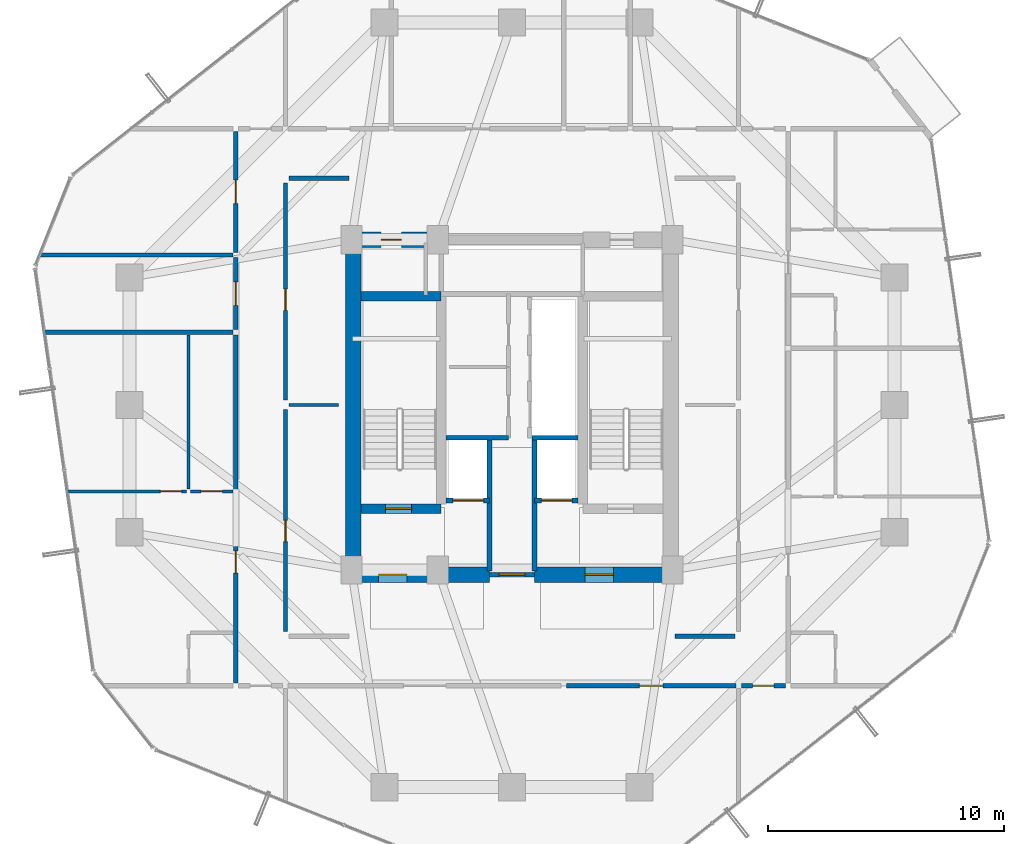
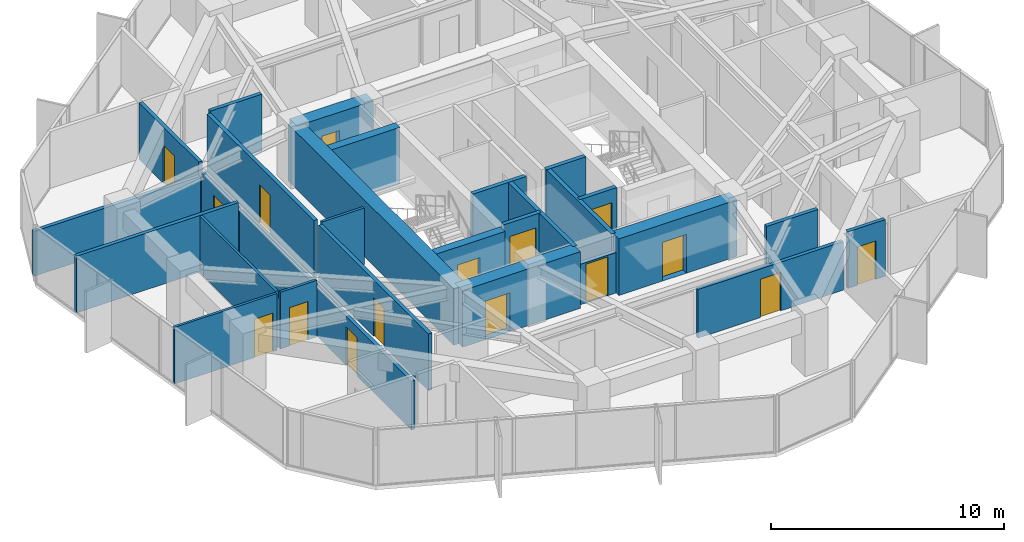
# One storey, part 30 of 34: 28 walls, 16 doors, 16 openings.
"""IFC4 building model written with IfcOpenShell, lengths in metres."""

from ifc_helpers import new_model, si_unit, direction, frame, frame_2d, origin, place, context, subcontext, project, spatial, rectangle, extrude, source, transform, mapped, material, layer, layer_set, type_object, element, fill, save


model = new_model("IFC4")

# Units and contexts
model_context = context("Model", 3, precision=1e-05, world=origin(), true_north=direction((0.0, 1.0)))
body_context = subcontext(model_context, "Body", "Model", "MODEL_VIEW")
ifc_project = project(units=[si_unit("LENGTHUNIT", "METRE"), si_unit("AREAUNIT", "SQUARE_METRE"), si_unit("VOLUMEUNIT", "CUBIC_METRE"), si_unit("PLANEANGLEUNIT", "RADIAN"), si_unit("MASSUNIT", "GRAM", prefix="KILO")], contexts=[model_context])

# Site, building, storey
site_placement = place(None, origin())
site = spatial("IfcSite", under=ifc_project, at=site_placement, CompositionType="ELEMENT")
building_placement = place(site_placement, origin())
building = spatial("IfcBuilding", under=site, at=building_placement, Name="Veraguas Prism Commons", CompositionType="ELEMENT")
storey_placement = place(building_placement, frame((0.0, 0.0, 155.5)))
storey = spatial("IfcBuildingStorey", under=building, at=storey_placement, Name="L44", CompositionType="ELEMENT", Elevation=155.5)

# Wall, opening, door
ifc_material_1 = material(Name="Concrete C50/60", Category="concrete")
ifc_layer_1 = layer(ifc_material_1, 0.39990234375, Name="Clinic and Mid Core Shear Wall RC 400", Category="concrete")
ifc_layer_set_1 = layer_set([ifc_layer_1], Name="Concrete C50/60")
wall_type_1 = type_object("IfcWallType", Name="Clinic and Mid Core Shear Wall RC 400", PredefinedType="SHEAR", material=ifc_layer_set_1)
wall_1_placement = place(storey_placement, frame((17.60009765625, 19.60009765625, 0.0), z_axis=(0.0, 0.0, 1.0), x_axis=(1.0, 0.0, 0.0)))
wall_1 = element("IfcWall", 1, at=wall_1_placement, inside=storey, type_object=wall_type_1, Name="Stair ST-01 South Shear Wall L44", PredefinedType="SHEAR", context=body_context, shape_type="SweptSolid", body=[
    extrude(rectangle(XDim=3.39990234375, YDim=0.39990234375, at=frame_2d((1.699951171875, 0.0))), origin(), (0.0, 0.0, 1.0), 2.969970703125),
])
opening_1_placement = place(wall_1_placement, frame((1.050048828125, 0.0, 0.0)))
opening_1 = element("IfcOpeningElement", 2, at=opening_1_placement, cuts=wall_1, Name="Opening DR-05", PredefinedType="OPENING", context=body_context, shape_type="SweptSolid", body=[
    extrude(rectangle(XDim=1.10009765625, YDim=2.030029296875, at=frame_2d((0.550048828125, 1.01513671875))), frame((0.0, 0.2099609375, 0.0), z_axis=(0.0, -1.0, 0.0), x_axis=(1.0, 0.0, 0.0)), (0.0, 0.0, 1.0), 0.419921875),
])
ifc_material_2 = material(Name="Steel fire-rated door assembly", Category="steel")
door_type_1 = type_object("IfcDoorType", Name="Protected Stair and Refuge Fire Door 1100x2030", OperationType="NOTDEFINED", PredefinedType="DOOR", material=ifc_material_2)
shared_shape_1 = source(origin(), body_context, "Body", "SweptSolid", [
    extrude(rectangle(XDim=1.10009765625, YDim=2.030029296875, at=frame_2d((0.550048828125, 1.01513671875))), frame((0.0, 0.02490234375, 0.0), z_axis=(0.0, -1.0, 0.0), x_axis=(1.0, 0.0, 0.0)), (0.0, 0.0, 1.0), 0.050048828125),
])
door_1_placement = place(opening_1_placement, origin())
door_1 = element("IfcDoor", 3, at=door_1_placement, inside=storey, type_object=door_type_1, Name="Stair ST-01 Enclosure Door L44", OperationType="SINGLE_SWING_LEFT", OverallHeight=2.030029296875, OverallWidth=1.10009765625, PredefinedType="DOOR", context=body_context, shape_type="MappedRepresentation", body=[
    mapped(shared_shape_1, transform((0.0, 0.0, 0.0), scale=1.0)),
])
fill(opening_1, door_1)

# Walls
wall_2_placement = place(storey_placement, frame((17.60009765625, 28.60009765625, 0.0), z_axis=(0.0, 0.0, 1.0), x_axis=(1.0, 0.0, 0.0)))
element("IfcWall", 4, at=wall_2_placement, inside=storey, type_object=wall_type_1, Name="Stair ST-01 North Shear Wall L44", PredefinedType="SHEAR", context=body_context, shape_type="SweptSolid", body=[
    extrude(rectangle(XDim=3.39990234375, YDim=0.39990234375, at=frame_2d((1.699951171875, 0.0))), origin(), (0.0, 0.0, 1.0), 2.969970703125),
])
ifc_material_3 = material(Name="Concrete C55/67", Category="concrete")
ifc_layer_2 = layer(ifc_material_3, 0.64990234375, Name="Core Outer Shear Wall Mid RC 650", Category="concrete")
ifc_layer_set_2 = layer_set([ifc_layer_2], Name="Concrete C55/67")
wall_type_2 = type_object("IfcWallType", Name="Core Outer Shear Wall Mid RC 650", PredefinedType="SHEAR", material=ifc_layer_set_2)
wall_3_placement = place(storey_placement, frame((17.27490234375, 16.800048828125, 0.0), z_axis=(0.0, 0.0, 1.0), x_axis=(0.0, 1.0, 0.0)))
element("IfcWall", 5, at=wall_3_placement, inside=storey, type_object=wall_type_2, Name="Central Core West Shear Wall L44", PredefinedType="SHEAR", context=body_context, shape_type="SweptSolid", body=[
    extrude(rectangle(XDim=14.199951171875, YDim=0.64990234375, at=frame_2d((7.10009765625, 0.0))), origin(), (0.0, 0.0, 1.0), 2.969970703125),
])

# Wall, opening, door
wall_4_placement = place(storey_placement, frame((17.199951171875, 16.800048828125, 0.0), z_axis=(0.0, 0.0, 1.0), x_axis=(1.0, 0.0, 0.0)))
wall_4 = element("IfcWall", 6, at=wall_4_placement, inside=storey, type_object=wall_type_2, Name="Central Core South-West Shear Wall L44", PredefinedType="SHEAR", context=body_context, shape_type="SweptSolid", body=[
    extrude(rectangle(XDim=5.85009765625, YDim=0.64990234375, at=frame_2d((2.925048828125, 0.0))), origin(), (0.0, 0.0, 1.0), 2.969970703125),
])
opening_2_placement = place(wall_4_placement, frame((1.14990234375, 0.0, 0.0)))
opening_2 = element("IfcOpeningElement", 7, at=opening_2_placement, cuts=wall_4, Name="Opening DR-06", PredefinedType="OPENING", context=body_context, shape_type="SweptSolid", body=[
    extrude(rectangle(XDim=1.199951171875, YDim=2.030029296875, at=frame_2d((0.60009765625, 1.01513671875))), frame((0.0, 0.3349609375, 0.0), z_axis=(0.0, -1.0, 0.0), x_axis=(1.0, 0.0, 0.0)), (0.0, 0.0, 1.0), 0.669921875),
])
door_type_2 = type_object("IfcDoorType", Name="Firefighting Lobby Smoke Door 1200x2030", OperationType="NOTDEFINED", PredefinedType="DOOR", material=ifc_material_2)
shared_shape_2 = source(origin(), body_context, "Body", "SweptSolid", [
    extrude(rectangle(XDim=1.199951171875, YDim=2.030029296875, at=frame_2d((0.60009765625, 1.01513671875))), frame((0.0, 0.02490234375, 0.0), z_axis=(0.0, -1.0, 0.0), x_axis=(1.0, 0.0, 0.0)), (0.0, 0.0, 1.0), 0.050048828125),
])
door_2_placement = place(opening_2_placement, origin())
door_2 = element("IfcDoor", 8, at=door_2_placement, inside=storey, type_object=door_type_2, Name="West FF Lobby Door L44", OperationType="SINGLE_SWING_RIGHT", OverallHeight=2.030029296875, OverallWidth=1.199951171875, PredefinedType="DOOR", context=body_context, shape_type="MappedRepresentation", body=[
    mapped(shared_shape_2, transform((0.0, 0.0, 0.0), scale=1.0)),
])
fill(opening_2, door_2)

wall_5_placement = place(storey_placement, frame((24.949951171875, 16.800048828125, 0.0), z_axis=(0.0, 0.0, 1.0), x_axis=(1.0, 0.0, 0.0)))
wall_5 = element("IfcWall", 9, at=wall_5_placement, inside=storey, type_object=wall_type_2, Name="Central Core South-East Shear Wall L44", PredefinedType="SHEAR", context=body_context, shape_type="SweptSolid", body=[
    extrude(rectangle(XDim=5.85009765625, YDim=0.64990234375, at=frame_2d((2.925048828125, 0.0))), origin(), (0.0, 0.0, 1.0), 2.969970703125),
])
opening_3_placement = place(wall_5_placement, frame((2.14990234375, 0.0, 0.0)))
opening_3 = element("IfcOpeningElement", 10, at=opening_3_placement, cuts=wall_5, Name="Opening DR-06", PredefinedType="OPENING", context=body_context, shape_type="SweptSolid", body=[
    extrude(rectangle(XDim=1.199951171875, YDim=2.030029296875, at=frame_2d((0.60009765625, 1.01513671875))), frame((0.0, 0.3349609375, 0.0), z_axis=(0.0, -1.0, 0.0), x_axis=(1.0, 0.0, 0.0)), (0.0, 0.0, 1.0), 0.669921875),
])
door_3_placement = place(opening_3_placement, origin())
door_3 = element("IfcDoor", 11, at=door_3_placement, inside=storey, type_object=door_type_2, Name="East FF Lobby Door L44", OperationType="SINGLE_SWING_RIGHT", OverallHeight=2.030029296875, OverallWidth=1.199951171875, PredefinedType="DOOR", context=body_context, shape_type="MappedRepresentation", body=[
    mapped(shared_shape_2, transform((0.0, 0.0, 0.0), scale=1.0)),
])
fill(opening_3, door_3)

wall_6_placement = place(storey_placement, frame((17.199951171875, 31.0, 0.0), z_axis=(0.0, 0.0, 1.0), x_axis=(1.0, 0.0, 0.0)))
wall_6 = element("IfcWall", 12, at=wall_6_placement, inside=storey, type_object=wall_type_2, Name="Central Core North-West Shear Wall L44", PredefinedType="SHEAR", context=body_context, shape_type="SweptSolid", body=[
    extrude(rectangle(XDim=3.800048828125, YDim=0.64990234375, at=frame_2d((1.89990234375, 0.0))), origin(), (0.0, 0.0, 1.0), 2.969970703125),
])
opening_4_placement = place(wall_6_placement, frame((1.25, 0.0, 0.0)))
opening_4 = element("IfcOpeningElement", 13, at=opening_4_placement, cuts=wall_6, Name="Opening DR-12", PredefinedType="OPENING", context=body_context, shape_type="SweptSolid", body=[
    extrude(rectangle(XDim=0.860107421875, YDim=2.010009765625, at=frame_2d((0.43017578125, 1.0048828125))), frame((0.0, 0.3349609375, 0.0), z_axis=(0.0, -1.0, 0.0), x_axis=(1.0, 0.0, 0.0)), (0.0, 0.0, 1.0), 0.669921875),
])
door_type_3 = type_object("IfcDoorType", Name="Core WC Fire Door 860x2010", OperationType="NOTDEFINED", PredefinedType="DOOR", material=ifc_material_2)
shared_shape_3 = source(origin(), body_context, "Body", "SweptSolid", [
    extrude(rectangle(XDim=0.860107421875, YDim=2.010009765625, at=frame_2d((0.43017578125, 1.0048828125))), frame((0.0, 0.02490234375, 0.0), z_axis=(0.0, -1.0, 0.0), x_axis=(1.0, 0.0, 0.0)), (0.0, 0.0, 1.0), 0.050048828125),
])
door_4_placement = place(opening_4_placement, origin())
door_4 = element("IfcDoor", 14, at=door_4_placement, inside=storey, type_object=door_type_3, Name="Core NW Service Door L44", OperationType="SINGLE_SWING_LEFT", OverallHeight=2.010009765625, OverallWidth=0.860107421875, PredefinedType="DOOR", context=body_context, shape_type="MappedRepresentation", body=[
    mapped(shared_shape_3, transform((0.0, 0.0, 0.0), scale=1.0)),
])
fill(opening_4, door_4)

ifc_material_4 = material(Name="Autoclaved aerated masonry block 10 MPa", Category="masonry")
ifc_layer_3 = layer(ifc_material_4, 0.179931640625, Name="Corridor and Inter-Tenancy Partition 180", Category="masonry")
ifc_layer_set_3 = layer_set([ifc_layer_3], Name="Autoclaved aerated masonry block 10 MPa")
wall_type_3 = type_object("IfcWallType", Name="Corridor and Inter-Tenancy Partition 180", PredefinedType="PARTITIONING", material=ifc_layer_set_3)
wall_7_placement = place(storey_placement, frame((14.39990234375, 14.39990234375, 0.0), z_axis=(0.0, 0.0, 1.0), x_axis=(0.0, 1.0, 0.0)))
wall_7 = element("IfcWall", 15, at=wall_7_placement, inside=storey, type_object=wall_type_3, Name="WL-L44-IRW1", PredefinedType="PARTITIONING", context=body_context, shape_type="SweptSolid", body=[
    extrude(rectangle(XDim=9.400146484375, YDim=0.179931640625, at=frame_2d((4.7001953125, 0.0))), origin(), (0.0, 0.0, 1.0), 2.969970703125),
])
opening_5_placement = place(wall_7_placement, frame((3.800048828125, 0.0, 0.0)))
opening_5 = element("IfcOpeningElement", 16, at=opening_5_placement, cuts=wall_7, Name="Opening DR-14", PredefinedType="OPENING", context=body_context, shape_type="SweptSolid", body=[
    extrude(rectangle(XDim=0.89990234375, YDim=2.010009765625, at=frame_2d((0.449951171875, 1.0048828125))), frame((0.0, 0.099853515625, 0.0), z_axis=(0.0, -1.0, 0.0), x_axis=(1.0, 0.0, 0.0)), (0.0, 0.0, 1.0), 0.199951171875),
])
door_type_4 = type_object("IfcDoorType", Name="Core Service Room Fire Door 900x2010", OperationType="NOTDEFINED", PredefinedType="DOOR", material=ifc_material_2)
shared_shape_4 = source(origin(), body_context, "Body", "SweptSolid", [
    extrude(rectangle(XDim=0.89990234375, YDim=2.010009765625, at=frame_2d((0.449951171875, 1.0048828125))), frame((0.0, 0.02490234375, 0.0), z_axis=(0.0, -1.0, 0.0), x_axis=(1.0, 0.0, 0.0)), (0.0, 0.0, 1.0), 0.050048828125),
])
door_5_placement = place(opening_5_placement, origin())
door_5 = element("IfcDoor", 17, at=door_5_placement, inside=storey, type_object=door_type_4, Name="Residents Quiet Study Pod Door L44", OperationType="SINGLE_SWING_LEFT", OverallHeight=2.010009765625, OverallWidth=0.89990234375, PredefinedType="DOOR", context=body_context, shape_type="MappedRepresentation", body=[
    mapped(shared_shape_4, transform((0.0, 0.0, 0.0), scale=1.0)),
])
fill(opening_5, door_5)

wall_8_placement = place(storey_placement, frame((14.39990234375, 24.199951171875, 0.0), z_axis=(0.0, 0.0, 1.0), x_axis=(0.0, 1.0, 0.0)))
wall_8 = element("IfcWall", 18, at=wall_8_placement, inside=storey, type_object=wall_type_3, Name="WL-L44-IRW2", PredefinedType="PARTITIONING", context=body_context, shape_type="SweptSolid", body=[
    extrude(rectangle(XDim=9.199951171875, YDim=0.179931640625, at=frame_2d((4.60009765625, 0.0))), origin(), (0.0, 0.0, 1.0), 2.969970703125),
])
opening_6_placement = place(wall_8_placement, frame((3.800048828125, 0.0, 0.0)))
opening_6 = element("IfcOpeningElement", 19, at=opening_6_placement, cuts=wall_8, Name="Opening DR-14", PredefinedType="OPENING", context=body_context, shape_type="SweptSolid", body=[
    extrude(rectangle(XDim=0.89990234375, YDim=2.010009765625, at=frame_2d((0.449951171875, 1.0048828125))), frame((0.0, 0.099853515625, 0.0), z_axis=(0.0, -1.0, 0.0), x_axis=(1.0, 0.0, 0.0)), (0.0, 0.0, 1.0), 0.199951171875),
])
door_6_placement = place(opening_6_placement, origin())
door_6 = element("IfcDoor", 20, at=door_6_placement, inside=storey, type_object=door_type_4, Name="Co-op Cycle and Pram Store Door L44", OperationType="SINGLE_SWING_RIGHT", OverallHeight=2.010009765625, OverallWidth=0.89990234375, PredefinedType="DOOR", context=body_context, shape_type="MappedRepresentation", body=[
    mapped(shared_shape_4, transform((0.0, 0.0, 0.0), scale=1.0)),
])
fill(opening_6, door_6)

# Walls
for number, where, z_axis, x_axis, name in (
    (21, (14.550048828125, 33.60009765625, 0.0), (0.0, 0.0, 1.0), (1.0, 0.0, 0.0), "WL-L44-IRWN"),
    (22, (30.89990234375, 14.199951171875, 0.0), (0.0, 0.0, 1.0), (1.0, 0.0, 0.0), "WL-L44-IRES"),
):
    element("IfcWall", number, at=place(storey_placement, frame(where, z_axis=z_axis, x_axis=x_axis)), inside=storey, type_object=wall_type_3, Name=name, PredefinedType="PARTITIONING", context=body_context, shape_type="SweptSolid", body=[
        extrude(rectangle(XDim=2.550048828125, YDim=0.179931640625, at=frame_2d((1.27490234375, 0.0))), origin(), (0.0, 0.0, 1.0), 2.969970703125),
    ])

# Wall, opening, door
wall_9_placement = place(storey_placement, frame((26.303955078125, 12.10009765625, 0.0), z_axis=(0.0, 0.0, 1.0), x_axis=(1.0, 0.0, 0.0)))
wall_9 = element("IfcWall", 23, at=wall_9_placement, inside=storey, type_object=wall_type_3, Name="WL-L44-PT004", PredefinedType="PARTITIONING", context=body_context, shape_type="SweptSolid", body=[
    extrude(rectangle(XDim=7.18603515625, YDim=0.179931640625, at=frame_2d((3.593017578125, 0.0))), origin(), (0.0, 0.0, 1.0), 2.550048828125),
])
opening_7_placement = place(wall_9_placement, frame((3.093017578125, 0.0, 0.0)))
opening_7 = element("IfcOpeningElement", 24, at=opening_7_placement, cuts=wall_9, Name="Opening DR-13", PredefinedType="OPENING", context=body_context, shape_type="SweptSolid", body=[
    extrude(rectangle(XDim=1.0, YDim=2.010009765625, at=frame_2d((0.5, 1.0048828125))), frame((0.0, 0.099853515625, 0.0), z_axis=(0.0, -1.0, 0.0), x_axis=(1.0, 0.0, 0.0)), (0.0, 0.0, 1.0), 0.199951171875),
])
door_type_5 = type_object("IfcDoorType", Name="Core Accessible WC and Clinic Fire Door 1000x2010", OperationType="NOTDEFINED", PredefinedType="DOOR", material=ifc_material_2)
shared_shape_5 = source(origin(), body_context, "Body", "SweptSolid", [
    extrude(rectangle(XDim=1.0, YDim=2.010009765625, at=frame_2d((0.5, 1.0048828125))), frame((0.0, 0.02490234375, 0.0), z_axis=(0.0, -1.0, 0.0), x_axis=(1.0, 0.0, 0.0)), (0.0, 0.0, 1.0), 0.050048828125),
])
door_7_placement = place(opening_7_placement, origin())
door_7 = element("IfcDoor", 25, at=door_7_placement, inside=storey, type_object=door_type_5, Name="Community Multipurpose Assembly Hall Door 2", OperationType="SINGLE_SWING_RIGHT", OverallHeight=2.010009765625, OverallWidth=1.0, PredefinedType="DOOR", context=body_context, shape_type="MappedRepresentation", body=[
    mapped(shared_shape_5, transform((0.0, 0.0, 0.0), scale=1.0)),
])
fill(opening_7, door_7)

wall_10_placement = place(storey_placement, frame((12.300048828125, 12.2099609375, 0.0), z_axis=(0.0, 0.0, 1.0), x_axis=(0.0, 1.0, 0.0)))
wall_10 = element("IfcWall", 26, at=wall_10_placement, inside=storey, type_object=wall_type_3, Name="WL-L44-PT016", PredefinedType="PARTITIONING", context=body_context, shape_type="SweptSolid", body=[
    extrude(rectangle(XDim=14.751953125, YDim=0.179931640625, at=frame_2d((7.3759765625, 0.0))), origin(), (0.0, 0.0, 1.0), 2.550048828125),
])
opening_8_placement = place(wall_10_placement, frame((4.657470703125, 0.0, 0.0)))
opening_8 = element("IfcOpeningElement", 27, at=opening_8_placement, cuts=wall_10, Name="Opening DR-01", PredefinedType="OPENING", context=body_context, shape_type="SweptSolid", body=[
    extrude(rectangle(XDim=0.949951171875, YDim=2.02001953125, at=frame_2d((0.47509765625, 1.010009765625))), frame((0.0, 0.099853515625, 0.0), z_axis=(0.0, -1.0, 0.0), x_axis=(1.0, 0.0, 0.0)), (0.0, 0.0, 1.0), 0.199951171875),
])
ifc_material_5 = material(Name="Anodised aluminium EN AW-6063 T6", Category="aluminium")
door_type_6 = type_object("IfcDoorType", Name="Apartment Entrance Fire Door 950x2020", OperationType="NOTDEFINED", PredefinedType="DOOR", material=ifc_material_5)
shared_shape_6 = source(origin(), body_context, "Body", "SweptSolid", [
    extrude(rectangle(XDim=0.949951171875, YDim=2.02001953125, at=frame_2d((0.47509765625, 1.010009765625))), frame((0.0, 0.02490234375, 0.0), z_axis=(0.0, -1.0, 0.0), x_axis=(1.0, 0.0, 0.0)), (0.0, 0.0, 1.0), 0.050048828125),
])
door_8_placement = place(opening_8_placement, origin())
door_8 = element("IfcDoor", 28, at=door_8_placement, inside=storey, type_object=door_type_6, Name="Flat 44A Entrance Door", OperationType="SINGLE_SWING_LEFT", OverallHeight=2.02001953125, OverallWidth=0.949951171875, PredefinedType="DOOR", context=body_context, shape_type="MappedRepresentation", body=[
    mapped(shared_shape_6, transform((0.0, 0.0, 0.0), scale=1.0)),
])
fill(opening_8, door_8)

# Wall
wall_11_placement = place(storey_placement, frame((12.179931640625, 27.072021484375, 0.0), z_axis=(0.0, 0.0, 1.0), x_axis=(-1.0, 0.0, 0.0)))
element("IfcWall", 29, at=wall_11_placement, inside=storey, type_object=wall_type_3, Name="WL-L44-PT022", PredefinedType="PARTITIONING", context=body_context, shape_type="SweptSolid", body=[
    extrude(rectangle(XDim=8.03564453125, YDim=0.179931640625, at=frame_2d((4.017822265625, 0.0))), origin(), (0.0, 0.0, 1.0), 2.969970703125),
])

# Wall, opening, door
wall_12_placement = place(storey_placement, frame((12.300048828125, 27.181884765625, 0.0), z_axis=(0.0, 0.0, 1.0), x_axis=(0.0, 1.0, 0.0)))
wall_12 = element("IfcWall", 30, at=wall_12_placement, inside=storey, type_object=wall_type_3, Name="WL-L44-PT023", PredefinedType="PARTITIONING", context=body_context, shape_type="SweptSolid", body=[
    extrude(rectangle(XDim=3.05908203125, YDim=0.179931640625, at=frame_2d((1.529541015625, 0.0))), origin(), (0.0, 0.0, 1.0), 2.550048828125),
])
opening_9_placement = place(wall_12_placement, frame((1.029541015625, 0.0, 0.0)))
opening_9 = element("IfcOpeningElement", 31, at=opening_9_placement, cuts=wall_12, Name="Opening DR-13", PredefinedType="OPENING", context=body_context, shape_type="SweptSolid", body=[
    extrude(rectangle(XDim=1.0, YDim=2.010009765625, at=frame_2d((0.5, 1.0048828125))), frame((0.0, 0.099853515625, 0.0), z_axis=(0.0, -1.0, 0.0), x_axis=(1.0, 0.0, 0.0)), (0.0, 0.0, 1.0), 0.199951171875),
])
door_9_placement = place(opening_9_placement, origin())
door_9 = element("IfcDoor", 32, at=door_9_placement, inside=storey, type_object=door_type_5, Name="Residents Study Room Door", OperationType="SINGLE_SWING_LEFT", OverallHeight=2.010009765625, OverallWidth=1.0, PredefinedType="DOOR", context=body_context, shape_type="MappedRepresentation", body=[
    mapped(shared_shape_5, transform((0.0, 0.0, 0.0), scale=1.0)),
])
fill(opening_9, door_9)

wall_13_placement = place(storey_placement, frame((12.300048828125, 30.4609375, 0.0), z_axis=(0.0, 0.0, 1.0), x_axis=(0.0, 1.0, 0.0)))
wall_13 = element("IfcWall", 33, at=wall_13_placement, inside=storey, type_object=wall_type_3, Name="WL-L44-PT024", PredefinedType="PARTITIONING", context=body_context, shape_type="SweptSolid", body=[
    extrude(rectangle(XDim=5.129150390625, YDim=0.179931640625, at=frame_2d((2.564453125, 0.0))), origin(), (0.0, 0.0, 1.0), 2.969970703125),
])
opening_10_placement = place(wall_13_placement, frame((2.064453125, 0.0, 0.0)))
opening_10 = element("IfcOpeningElement", 34, at=opening_10_placement, cuts=wall_13, Name="Opening DR-13", PredefinedType="OPENING", context=body_context, shape_type="SweptSolid", body=[
    extrude(rectangle(XDim=1.0, YDim=2.010009765625, at=frame_2d((0.5, 1.0048828125))), frame((0.0, 0.099853515625, 0.0), z_axis=(0.0, -1.0, 0.0), x_axis=(1.0, 0.0, 0.0)), (0.0, 0.0, 1.0), 0.199951171875),
])
door_10_placement = place(opening_10_placement, origin())
door_10 = element("IfcDoor", 35, at=door_10_placement, inside=storey, type_object=door_type_5, Name="Co-op Store W Door", OperationType="SINGLE_SWING_RIGHT", OverallHeight=2.010009765625, OverallWidth=1.0, PredefinedType="DOOR", context=body_context, shape_type="MappedRepresentation", body=[
    mapped(shared_shape_5, transform((0.0, 0.0, 0.0), scale=1.0)),
])
fill(opening_10, door_10)

# Wall
wall_14_placement = place(storey_placement, frame((12.179931640625, 30.35107421875, 0.0), z_axis=(0.0, 0.0, 1.0), x_axis=(-1.0, 0.0, 0.0)))
element("IfcWall", 36, at=wall_14_placement, inside=storey, type_object=wall_type_3, Name="WL-L44-PT025", PredefinedType="PARTITIONING", context=body_context, shape_type="SweptSolid", body=[
    extrude(rectangle(XDim=8.236328125, YDim=0.179931640625, at=frame_2d((4.1181640625, 0.0))), origin(), (0.0, 0.0, 1.0), 2.347900390625),
])

# Wall, opening, door
wall_15_placement = place(storey_placement, frame((33.719970703125, 12.10009765625, 0.0), z_axis=(0.0, 0.0, 1.0), x_axis=(1.0, 0.0, 0.0)))
wall_15 = element("IfcWall", 37, at=wall_15_placement, inside=storey, type_object=wall_type_3, Name="WL-L44-PT042", PredefinedType="PARTITIONING", context=body_context, shape_type="SweptSolid", body=[
    extrude(rectangle(XDim=1.860107421875, YDim=0.179931640625, at=frame_2d((0.93017578125, 0.0))), origin(), (0.0, 0.0, 1.0), 2.969970703125),
])
opening_11_placement = place(wall_15_placement, frame((0.47998046875, 0.0, 0.0)))
opening_11 = element("IfcOpeningElement", 38, at=opening_11_placement, cuts=wall_15, Name="Opening DR-14", PredefinedType="OPENING", context=body_context, shape_type="SweptSolid", body=[
    extrude(rectangle(XDim=0.89990234375, YDim=2.010009765625, at=frame_2d((0.449951171875, 1.0048828125))), frame((0.0, 0.099853515625, 0.0), z_axis=(0.0, -1.0, 0.0), x_axis=(1.0, 0.0, 0.0)), (0.0, 0.0, 1.0), 0.199951171875),
])
door_11_placement = place(opening_11_placement, origin())
door_11 = element("IfcDoor", 39, at=door_11_placement, inside=storey, type_object=door_type_4, Name="Shared Laundry Room SE Door", OperationType="SINGLE_SWING_RIGHT", OverallHeight=2.010009765625, OverallWidth=0.89990234375, PredefinedType="DOOR", context=body_context, shape_type="MappedRepresentation", body=[
    mapped(shared_shape_4, transform((0.0, 0.0, 0.0), scale=1.0)),
])
fill(opening_11, door_11)

# Wall
ifc_material_6 = material(Name="Lightweight acoustic gypsum board")
ifc_layer_4 = layer(ifc_material_6, 0.125, Name="Internal Apartment Room Partition 125")
ifc_layer_set_4 = layer_set([ifc_layer_4], Name="Lightweight acoustic gypsum board")
wall_type_4 = type_object("IfcWallType", Name="Internal Apartment Room Partition 125", PredefinedType="PARTITIONING", material=ifc_layer_set_4)
wall_16_placement = place(storey_placement, frame((14.550048828125, 24.0, 0.0), z_axis=(0.0, 0.0, 1.0), x_axis=(1.0, 0.0, 0.0)))
element("IfcWall", 40, at=wall_16_placement, inside=storey, type_object=wall_type_4, Name="WL-L44-IRWM", PredefinedType="PARTITIONING", context=body_context, shape_type="SweptSolid", body=[
    extrude(rectangle(XDim=2.099853515625, YDim=0.125, at=frame_2d((1.0498046875, 0.0))), origin(), (0.0, 0.0, 1.0), 2.969970703125),
])

# Wall, opening, door
wall_17_placement = place(storey_placement, frame((12.179931640625, 20.3349609375, 0.0), z_axis=(0.0, 0.0, 1.0), x_axis=(-1.0, 0.0, 0.0)))
wall_17 = element("IfcWall", 41, at=wall_17_placement, inside=storey, type_object=wall_type_4, Name="WL-L44-PT019", PredefinedType="PARTITIONING", context=body_context, shape_type="SweptSolid", body=[
    extrude(rectangle(XDim=1.800048828125, YDim=0.125, at=frame_2d((0.89990234375, 0.0))), origin(), (0.0, 0.0, 1.0), 2.969970703125),
])
opening_12_placement = place(wall_17_placement, frame((0.449951171875, 0.0, 0.0)))
opening_12 = element("IfcOpeningElement", 42, at=opening_12_placement, cuts=wall_17, Name="Opening DR-02", PredefinedType="OPENING", context=body_context, shape_type="SweptSolid", body=[
    extrude(rectangle(XDim=0.89990234375, YDim=2.010009765625, at=frame_2d((0.449951171875, 1.0048828125))), frame((0.0, 0.072509765625, 0.0), z_axis=(0.0, -1.0, 0.0), x_axis=(1.0, 0.0, 0.0)), (0.0, 0.0, 1.0), 0.14501953125),
])
ifc_material_7 = material(Name="Timber solid core hardwood", Category="wood")
door_type_7 = type_object("IfcDoorType", Name="Internal Habitable Room Door 900x2010", OperationType="NOTDEFINED", PredefinedType="DOOR", material=ifc_material_7)
door_12_placement = place(opening_12_placement, origin())
door_12 = element("IfcDoor", 43, at=door_12_placement, inside=storey, type_object=door_type_7, Name="Flat 44A Kitchen Door", OperationType="SINGLE_SWING_LEFT", OverallHeight=2.010009765625, OverallWidth=0.89990234375, PredefinedType="DOOR", context=body_context, shape_type="MappedRepresentation", body=[
    mapped(shared_shape_4, transform((0.0, 0.0, 0.0), scale=1.0)),
])
fill(opening_12, door_12)

# Wall
wall_18_placement = place(storey_placement, frame((10.300048828125, 20.43505859375, 0.0), z_axis=(0.0, 0.0, 1.0), x_axis=(0.0, 1.0, 0.0)))
element("IfcWall", 44, at=wall_18_placement, inside=storey, type_object=wall_type_4, Name="WL-L44-PT020", PredefinedType="PARTITIONING", context=body_context, shape_type="SweptSolid", body=[
    extrude(rectangle(XDim=6.516845703125, YDim=0.125, at=frame_2d((3.25830078125, 0.0))), origin(), (0.0, 0.0, 1.0), 2.969970703125),
])

# Wall, opening, door
wall_19_placement = place(storey_placement, frame((10.199951171875, 20.3349609375, 0.0), z_axis=(0.0, 0.0, 1.0), x_axis=(-1.0, 0.0, 0.0)))
wall_19 = element("IfcWall", 45, at=wall_19_placement, inside=storey, type_object=wall_type_4, Name="WL-L44-PT021", PredefinedType="PARTITIONING", context=body_context, shape_type="SweptSolid", body=[
    extrude(rectangle(XDim=5.08251953125, YDim=0.125, at=frame_2d((2.541259765625, 0.0))), origin(), (0.0, 0.0, 1.0), 2.969970703125),
])
opening_13_placement = place(wall_19_placement, frame((0.199951171875, 0.0, 0.0)))
opening_13 = element("IfcOpeningElement", 46, at=opening_13_placement, cuts=wall_19, Name="Opening DR-02", PredefinedType="OPENING", context=body_context, shape_type="SweptSolid", body=[
    extrude(rectangle(XDim=0.89990234375, YDim=2.010009765625, at=frame_2d((0.449951171875, 1.0048828125))), frame((0.0, 0.072509765625, 0.0), z_axis=(0.0, -1.0, 0.0), x_axis=(1.0, 0.0, 0.0)), (0.0, 0.0, 1.0), 0.14501953125),
])
door_13_placement = place(opening_13_placement, origin())
door_13 = element("IfcDoor", 47, at=door_13_placement, inside=storey, type_object=door_type_7, Name="Flat 44A Bedroom 1 Door", OperationType="SINGLE_SWING_RIGHT", OverallHeight=2.010009765625, OverallWidth=0.89990234375, PredefinedType="DOOR", context=body_context, shape_type="MappedRepresentation", body=[
    mapped(shared_shape_4, transform((0.0, 0.0, 0.0), scale=1.0)),
])
fill(opening_13, door_13)

ifc_layer_5 = layer(ifc_material_4, 0.199951171875, Name="Rated Shaft and Lobby Block Wall 200", Category="masonry")
ifc_layer_set_5 = layer_set([ifc_layer_5], Name="Autoclaved aerated masonry block 10 MPa")
wall_type_5 = type_object("IfcWallType", Name="Rated Shaft and Lobby Block Wall 200", PredefinedType="SOLIDWALL", material=ifc_layer_set_5)
wall_20_placement = place(storey_placement, frame((23.050048828125, 16.800048828125, 0.0), z_axis=(0.0, 0.0, 1.0), x_axis=(1.0, 0.0, 0.0)))
wall_20 = element("IfcWall", 48, at=wall_20_placement, inside=storey, type_object=wall_type_5, Name="Central Core Lobby Entrance Wall L44", PredefinedType="SOLIDWALL", context=body_context, shape_type="SweptSolid", body=[
    extrude(rectangle(XDim=1.89990234375, YDim=0.199951171875, at=frame_2d((0.949951171875, 0.0))), origin(), (0.0, 0.0, 1.0), 2.1201171875),
])
opening_14_placement = place(wall_20_placement, frame((0.39990234375, 0.0, 0.0)))
opening_14 = element("IfcOpeningElement", 49, at=opening_14_placement, cuts=wall_20, Name="Opening DR-05", PredefinedType="OPENING", context=body_context, shape_type="SweptSolid", body=[
    extrude(rectangle(XDim=1.10009765625, YDim=2.030029296875, at=frame_2d((0.550048828125, 1.01513671875))), frame((0.0, 0.10986328125, 0.0), z_axis=(0.0, -1.0, 0.0), x_axis=(1.0, 0.0, 0.0)), (0.0, 0.0, 1.0), 0.219970703125),
])
door_14_placement = place(opening_14_placement, origin())
door_14 = element("IfcDoor", 50, at=door_14_placement, inside=storey, type_object=door_type_1, Name="Central Lobby Door L44", OperationType="SINGLE_SWING_LEFT", OverallHeight=2.030029296875, OverallWidth=1.10009765625, PredefinedType="DOOR", context=body_context, shape_type="MappedRepresentation", body=[
    mapped(shared_shape_1, transform((0.0, 0.0, 0.0), scale=1.0)),
])
fill(opening_14, door_14)

wall_21_placement = place(storey_placement, frame((21.199951171875, 19.949951171875, 0.0), z_axis=(0.0, 0.0, 1.0), x_axis=(1.0, 0.0, 0.0)))
wall_21 = element("IfcWall", 51, at=wall_21_placement, inside=storey, type_object=wall_type_5, Name="Firefighting Lift FFL-1 Front Wall L44", PredefinedType="SOLIDWALL", context=body_context, shape_type="SweptSolid", body=[
    extrude(rectangle(XDim=1.85009765625, YDim=0.199951171875, at=frame_2d((0.925048828125, 0.0))), origin(), (0.0, 0.0, 1.0), 2.969970703125),
])
opening_15_placement = place(wall_21_placement, frame((0.300048828125, 0.0, 0.0)))
opening_15 = element("IfcOpeningElement", 52, at=opening_15_placement, cuts=wall_21, Name="Opening LD-02", PredefinedType="OPENING", context=body_context, shape_type="SweptSolid", body=[
    extrude(rectangle(XDim=1.300048828125, YDim=2.25, at=frame_2d((0.64990234375, 1.125))), frame((0.0, 0.10986328125, 0.0), z_axis=(0.0, -1.0, 0.0), x_axis=(1.0, 0.0, 0.0)), (0.0, 0.0, 1.0), 0.219970703125),
])
ifc_material_8 = material(Name="Stainless steel AISI 316", Category="steel")
door_type_8 = type_object("IfcDoorType", Name="Firefighting Lift Sliding Landing Door 1300x2250", OperationType="NOTDEFINED", PredefinedType="DOOR", material=ifc_material_8)
shared_shape_7 = source(origin(), body_context, "Body", "SweptSolid", [
    extrude(rectangle(XDim=1.300048828125, YDim=2.25, at=frame_2d((0.64990234375, 1.125))), frame((0.0, 0.02490234375, 0.0), z_axis=(0.0, -1.0, 0.0), x_axis=(1.0, 0.0, 0.0)), (0.0, 0.0, 1.0), 0.050048828125),
])
door_15_placement = place(opening_15_placement, origin())
door_15 = element("IfcDoor", 53, at=door_15_placement, inside=storey, type_object=door_type_8, Name="Firefighting Lift FFL-1 Landing Door L44", OperationType="SLIDING_TO_LEFT", OverallHeight=2.25, OverallWidth=1.300048828125, PredefinedType="DOOR", context=body_context, shape_type="MappedRepresentation", body=[
    mapped(shared_shape_7, transform((0.0, 0.0, 0.0), scale=1.0)),
])
fill(opening_15, door_15)

wall_22_placement = place(storey_placement, frame((24.949951171875, 19.949951171875, 0.0), z_axis=(0.0, 0.0, 1.0), x_axis=(1.0, 0.0, 0.0)))
wall_22 = element("IfcWall", 54, at=wall_22_placement, inside=storey, type_object=wall_type_5, Name="Firefighting Lift FFL-2 Front Wall L44", PredefinedType="SOLIDWALL", context=body_context, shape_type="SweptSolid", body=[
    extrude(rectangle(XDim=1.85009765625, YDim=0.199951171875, at=frame_2d((0.925048828125, 0.0))), origin(), (0.0, 0.0, 1.0), 2.969970703125),
])
opening_16_placement = place(wall_22_placement, frame((0.300048828125, 0.0, 0.0)))
opening_16 = element("IfcOpeningElement", 55, at=opening_16_placement, cuts=wall_22, Name="Opening LD-02", PredefinedType="OPENING", context=body_context, shape_type="SweptSolid", body=[
    extrude(rectangle(XDim=1.300048828125, YDim=2.25, at=frame_2d((0.64990234375, 1.125))), frame((0.0, 0.10986328125, 0.0), z_axis=(0.0, -1.0, 0.0), x_axis=(1.0, 0.0, 0.0)), (0.0, 0.0, 1.0), 0.219970703125),
])
door_16_placement = place(opening_16_placement, origin())
door_16 = element("IfcDoor", 56, at=door_16_placement, inside=storey, type_object=door_type_8, Name="Firefighting Lift FFL-2 Front Wall L44", OperationType="SLIDING_TO_LEFT", OverallHeight=2.25, OverallWidth=1.300048828125, PredefinedType="DOOR", context=body_context, shape_type="MappedRepresentation", body=[
    mapped(shared_shape_7, transform((0.0, 0.0, 0.0), scale=1.0)),
])
fill(opening_16, door_16)

# Walls
for number, where, z_axis, x_axis, name in (
    (57, (23.050048828125, 16.949951171875, 0.0), (0.0, 0.0, 1.0), (0.0, 1.0, 0.0), "West FF Lobby Divider Wall L44"),
    (58, (24.949951171875, 16.949951171875, 0.0), (0.0, 0.0, 1.0), (0.0, 1.0, 0.0), "East FF Lobby Divider Wall L44"),
):
    element("IfcWall", number, at=place(storey_placement, frame(where, z_axis=z_axis, x_axis=x_axis)), inside=storey, type_object=wall_type_5, Name=name, PredefinedType="SOLIDWALL", context=body_context, shape_type="SweptSolid", body=[
        extrude(rectangle(XDim=5.60009765625, YDim=0.199951171875, at=frame_2d((2.800048828125, 0.0))), origin(), (0.0, 0.0, 1.0), 2.969970703125),
    ])
wall_23_placement = place(storey_placement, frame((21.199951171875, 22.60009765625, 0.0), z_axis=(0.0, 0.0, 1.0), x_axis=(1.0, 0.0, 0.0)))
element("IfcWall", 59, at=wall_23_placement, inside=storey, type_object=wall_type_5, Name="Firefighting Lift FFL-1 Rear Wall L44", PredefinedType="SOLIDWALL", context=body_context, shape_type="SweptSolid", body=[
    extrude(rectangle(XDim=2.650146484375, YDim=0.199951171875, at=frame_2d((1.3251953125, 0.0))), origin(), (0.0, 0.0, 1.0), 2.969970703125),
])
wall_24_placement = place(storey_placement, frame((24.85009765625, 22.60009765625, 0.0), z_axis=(0.0, 0.0, 1.0), x_axis=(1.0, 0.0, 0.0)))
element("IfcWall", 60, at=wall_24_placement, inside=storey, type_object=wall_type_5, Name="Firefighting Lift FFL-2 Rear Wall L44", PredefinedType="SOLIDWALL", context=body_context, shape_type="SweptSolid", body=[
    extrude(rectangle(XDim=1.949951171875, YDim=0.199951171875, at=frame_2d((0.97509765625, 0.0))), origin(), (0.0, 0.0, 1.0), 2.969970703125),
])

save(model, "model.ifc")
